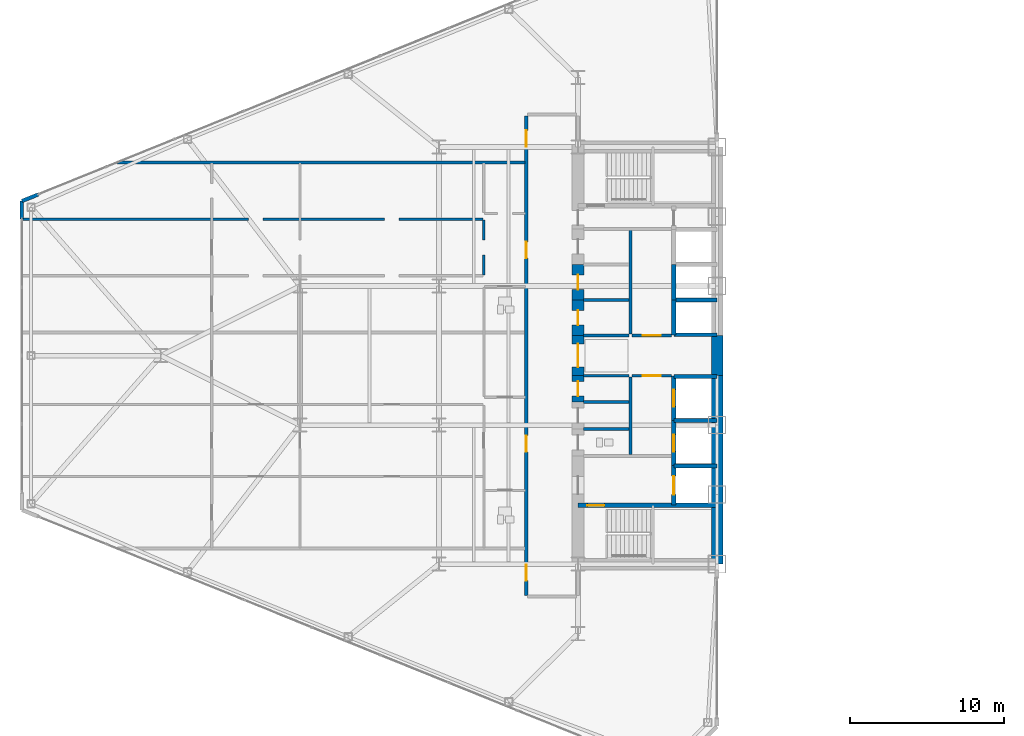
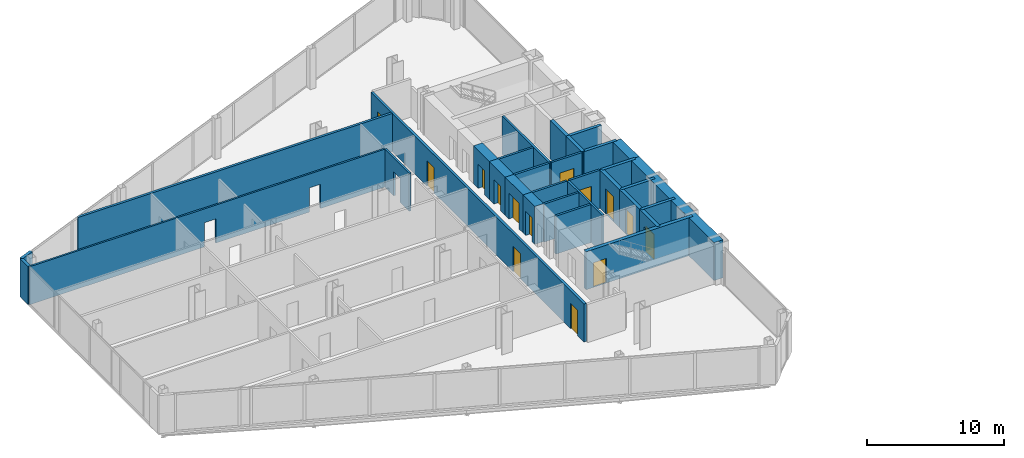
# One storey, part 18 of 25: 32 walls, 14 doors, 17 openings.
"""IFC4 building model written with IfcOpenShell, lengths in metres."""

from ifc_helpers import new_model, si_unit, direction, frame, frame_2d, origin, place, context, subcontext, project, spatial, rectangle, extrude, source, transform, mapped, material, layer, layer_set, type_object, type_shapes, element, fill, save


model = new_model("IFC4")

# Units and contexts
model_context = context("Model", 3, precision=1e-05, world=origin(), true_north=direction((0.0, 1.0)))
body_context = subcontext(model_context, "Body", "Model", "MODEL_VIEW")
ifc_project = project(units=[si_unit("LENGTHUNIT", "METRE"), si_unit("AREAUNIT", "SQUARE_METRE"), si_unit("VOLUMEUNIT", "CUBIC_METRE"), si_unit("PLANEANGLEUNIT", "RADIAN"), si_unit("MASSUNIT", "GRAM", prefix="KILO")], contexts=[model_context])

# Site, building, storey
site_placement = place(None, origin())
site = spatial("IfcSite", under=ifc_project, at=site_placement, CompositionType="ELEMENT")
building_placement = place(site_placement, origin())
building = spatial("IfcBuilding", under=site, at=building_placement, Name="Seokmaru Belvedere", CompositionType="ELEMENT")
storey_placement = place(building_placement, frame((0.0, 0.0, 54.89990234375)))
storey = spatial("IfcBuildingStorey", under=building, at=storey_placement, Name="L14", CompositionType="ELEMENT", Elevation=54.89990234375)

# Wall, openings
ifc_material_1 = material(Name="Fire-Rated Gypsum Shaftwall")
ifc_layer_1 = layer(ifc_material_1, 0.14990234375)
ifc_layer_set_1 = layer_set([ifc_layer_1], Name="Fire-Rated Gypsum Shaftwall")
wall_type_1 = type_object("IfcWallType", Name="Apartment Fire-Acoustic Room Partition 150", PredefinedType="PARTITIONING", material=ifc_layer_set_1)
wall_1_placement = place(storey_placement, frame((-72.534912109375, 8.830078125, 0.0), z_axis=(0.0, 0.0, 1.0), x_axis=(1.0, 0.0, 0.0)))
wall_1 = element("IfcWall", 1, at=wall_1_placement, inside=storey, type_object=wall_type_1, Name="L14 Interior Partition 023", PredefinedType="PARTITIONING", context=body_context, shape_type="SweptSolid", body=[
    extrude(rectangle(XDim=29.885009765625, YDim=0.14990234375, at=frame_2d((14.9423828125, 0.0))), origin(), (0.0, 0.0, 1.0), 3.380126953125),
])
opening_1_placement = place(wall_1_placement, frame((23.510009765625, 0.0, 0.0)))
element("IfcOpeningElement", 2, at=opening_1_placement, cuts=wall_1, Name="L14 Cased Opening 020", PredefinedType="OPENING", context=body_context, shape_type="SweptSolid", body=[
    extrude(rectangle(XDim=0.949951171875, YDim=2.14990234375, at=frame_2d((0.47509765625, 1.074951171875))), frame((0.0, 0.0849609375, 0.0), z_axis=(0.0, -1.0, 0.0), x_axis=(1.0, 0.0, 0.0)), (0.0, 0.0, 1.0), 0.169921875),
])
opening_2_placement = place(wall_1_placement, frame((14.7099609375, 0.0, 0.0)))
element("IfcOpeningElement", 3, at=opening_2_placement, cuts=wall_1, Name="L14 Cased Opening 024", PredefinedType="OPENING", context=body_context, shape_type="SweptSolid", body=[
    extrude(rectangle(XDim=0.949951171875, YDim=2.14990234375, at=frame_2d((0.47509765625, 1.074951171875))), frame((0.0, 0.0849609375, 0.0), z_axis=(0.0, -1.0, 0.0), x_axis=(1.0, 0.0, 0.0)), (0.0, 0.0, 1.0), 0.169921875),
])

# Wall, opening
wall_2_placement = place(storey_placement, frame((-42.60009765625, 5.217041015625, 0.0), z_axis=(0.0, 0.0, 1.0), x_axis=(0.0, 1.0, 0.0)))
wall_2 = element("IfcWall", 4, at=wall_2_placement, inside=storey, type_object=wall_type_1, Name="L14 Interior Partition 038", PredefinedType="PARTITIONING", context=body_context, shape_type="SweptSolid", body=[
    extrude(rectangle(XDim=3.56591796875, YDim=0.14990234375, at=frame_2d((1.782958984375, 0.0))), origin(), (0.0, 0.0, 1.0), 3.380126953125),
])
opening_3_placement = place(wall_2_placement, frame((1.30810546875, 0.0, 0.0)))
element("IfcOpeningElement", 5, at=opening_3_placement, cuts=wall_2, Name="L14 Cased Opening 017", PredefinedType="OPENING", context=body_context, shape_type="SweptSolid", body=[
    extrude(rectangle(XDim=0.949951171875, YDim=2.14990234375, at=frame_2d((0.47509765625, 1.074951171875))), frame((0.0, 0.0849609375, 0.0), z_axis=(0.0, -1.0, 0.0), x_axis=(1.0, 0.0, 0.0)), (0.0, 0.0, 1.0), 0.169921875),
])

# Walls
ifc_layer_2 = layer(ifc_material_1, 0.179931640625)
ifc_layer_set_2 = layer_set([ifc_layer_2], Name="Fire-Rated Gypsum Shaftwall")
wall_type_2 = type_object("IfcWallType", Name="Core Service Fire Partition 180", PredefinedType="PARTITIONING", material=ifc_layer_set_2)
wall_3_placement = place(storey_placement, frame((-33.10009765625, -6.419921875, 0.0), z_axis=(0.0, 0.0, 1.0), x_axis=(0.0, 1.0, 0.0)))
element("IfcWall", 6, at=wall_3_placement, inside=storey, type_object=wall_type_2, Name="L14 West South Core Service Back Wall", PredefinedType="PARTITIONING", context=body_context, shape_type="SweptSolid", body=[
    extrude(rectangle(XDim=5.0400390625, YDim=0.179931640625, at=frame_2d((2.52001953125, 0.0))), origin(), (0.0, 0.0, 1.0), 3.380126953125),
])
wall_4_placement = place(storey_placement, frame((-33.10009765625, 1.3798828125, 0.0), z_axis=(0.0, 0.0, 1.0), x_axis=(0.0, 1.0, 0.0)))
element("IfcWall", 7, at=wall_4_placement, inside=storey, type_object=wall_type_2, Name="L14 West North Core Service Back Wall", PredefinedType="PARTITIONING", context=body_context, shape_type="SweptSolid", body=[
    extrude(rectangle(XDim=6.740234375, YDim=0.179931640625, at=frame_2d((3.3701171875, 0.0))), origin(), (0.0, 0.0, 1.0), 3.380126953125),
])

# Wall, opening, door
wall_5_placement = place(storey_placement, frame((-33.02001953125, -1.300048828125, 0.0), z_axis=(0.0, 0.0, 1.0), x_axis=(1.0, 0.0, 0.0)))
wall_5 = element("IfcWall", 8, at=wall_5_placement, inside=storey, type_object=wall_type_2, Name="L14 West South Lift Lobby Foyer Wall", PredefinedType="PARTITIONING", context=body_context, shape_type="SweptSolid", body=[
    extrude(rectangle(XDim=2.570068359375, YDim=0.179931640625, at=frame_2d((1.28515625, 0.0))), origin(), (0.0, 0.0, 1.0), 3.380126953125),
])
opening_4_placement = place(wall_5_placement, frame((0.7099609375, 0.0, 0.0)))
opening_4 = element("IfcOpeningElement", 9, at=opening_4_placement, cuts=wall_5, Name="Opening D02", PredefinedType="OPENING", context=body_context, shape_type="SweptSolid", body=[
    extrude(rectangle(XDim=1.14990234375, YDim=2.199951171875, at=frame_2d((0.574951171875, 1.10009765625))), frame((0.0, 0.10009765625, 0.0), z_axis=(0.0, -1.0, 0.0), x_axis=(1.0, 0.0, 0.0)), (0.0, 0.0, 1.0), 0.199951171875),
])
ifc_material_2 = material(Name="Fire-Rated Steel Leaf", Category="steel")
door_type_1 = type_object("IfcDoorType", Name="Lobby and Vestibule Fire Door 1150x2200", OperationType="NOTDEFINED", PredefinedType="DOOR", material=ifc_material_2)
shared_shape_1 = source(origin(), body_context, "Body", "SweptSolid", [
    extrude(rectangle(XDim=1.14990234375, YDim=2.199951171875, at=frame_2d((0.574951171875, 1.10009765625))), frame((0.0, 0.02490234375, 0.0), z_axis=(0.0, -1.0, 0.0), x_axis=(1.0, 0.0, 0.0)), (0.0, 0.0, 1.0), 0.050048828125),
])
type_shapes(door_type_1, [shared_shape_1])
door_1_placement = place(opening_4_placement, origin())
door_1 = element("IfcDoor", 10, at=door_1_placement, inside=storey, type_object=door_type_1, Name="L14 West South Core Foyer Door", OperationType="SINGLE_SWING_LEFT", OverallHeight=2.199951171875, OverallWidth=1.14990234375, PredefinedType="DOOR", context=body_context, shape_type="MappedRepresentation", body=[
    mapped(shared_shape_1, transform((0.0, 0.0, 0.0), scale=1.0)),
])
fill(opening_4, door_1)

wall_6_placement = place(storey_placement, frame((-33.02001953125, 1.300048828125, 0.0), z_axis=(0.0, 0.0, 1.0), x_axis=(1.0, 0.0, 0.0)))
wall_6 = element("IfcWall", 11, at=wall_6_placement, inside=storey, type_object=wall_type_2, Name="L14 West North Lift Lobby Foyer Wall", PredefinedType="PARTITIONING", context=body_context, shape_type="SweptSolid", body=[
    extrude(rectangle(XDim=2.570068359375, YDim=0.179931640625, at=frame_2d((1.28515625, 0.0))), origin(), (0.0, 0.0, 1.0), 3.380126953125),
])
opening_5_placement = place(wall_6_placement, frame((0.7099609375, 0.0, 0.0)))
opening_5 = element("IfcOpeningElement", 12, at=opening_5_placement, cuts=wall_6, Name="Opening D02", PredefinedType="OPENING", context=body_context, shape_type="SweptSolid", body=[
    extrude(rectangle(XDim=1.14990234375, YDim=2.199951171875, at=frame_2d((0.574951171875, 1.10009765625))), frame((0.0, 0.10009765625, 0.0), z_axis=(0.0, -1.0, 0.0), x_axis=(1.0, 0.0, 0.0)), (0.0, 0.0, 1.0), 0.199951171875),
])
door_2_placement = place(opening_5_placement, origin())
door_2 = element("IfcDoor", 13, at=door_2_placement, inside=storey, type_object=door_type_1, Name="L14 West North Lift Lobby Door", OperationType="SINGLE_SWING_RIGHT", OverallHeight=2.199951171875, OverallWidth=1.14990234375, PredefinedType="DOOR", context=body_context, shape_type="MappedRepresentation", body=[
    mapped(shared_shape_1, transform((0.0, 0.0, 0.0), scale=1.0)),
])
fill(opening_5, door_2)

# Walls
for number, where, z_axis, x_axis, name in (
    (14, (-36.14990234375, -1.300048828125, 0.0), (0.0, 0.0, 1.0), (1.0, 0.0, 0.0), "L14 West Foyer Side Wall S"),
    (15, (-36.14990234375, 1.300048828125, 0.0), (0.0, 0.0, 1.0), (1.0, 0.0, 0.0), "L14 West Foyer Side Wall N"),
    (16, (-36.14990234375, -4.75, 0.0), (0.0, 0.0, 1.0), (1.0, 0.0, 0.0), "L14 West Core Service Partition 1"),
    (17, (-36.14990234375, -3.0, 0.0), (0.0, 0.0, 1.0), (1.0, 0.0, 0.0), "L14 West Core Service Partition 2"),
    (18, (-36.14990234375, 3.60009765625, 0.0), (0.0, 0.0, 1.0), (1.0, 0.0, 0.0), "L14 West Core Service Partition 3"),
):
    element("IfcWall", number, at=place(storey_placement, frame(where, z_axis=z_axis, x_axis=x_axis)), inside=storey, type_object=wall_type_2, Name=name, PredefinedType="PARTITIONING", context=body_context, shape_type="SweptSolid", body=[
        extrude(rectangle(XDim=2.949951171875, YDim=0.179931640625, at=frame_2d((1.47509765625, 0.0))), origin(), (0.0, 0.0, 1.0), 3.380126953125),
    ])
ifc_material_3 = material(Name="Concrete C50 (50 MPa)", Category="concrete")
ifc_layer_3 = layer(ifc_material_3, 0.25)
ifc_layer_set_3 = layer_set([ifc_layer_3], Name="Concrete C50 (50 MPa)")
wall_type_3 = type_object("IfcWallType", Name="Hoistway Transverse Concrete Divider Wall 250", PredefinedType="SHEAR", material=ifc_layer_set_3)
for number, where, z_axis, x_axis, name in (
    (19, (-30.300048828125, -7.14990234375, 0.0), (0.0, 0.0, 1.0), (1.0, 0.0, 0.0), "L14 West Hoistway Divider Core Wall 1"),
    (20, (-30.300048828125, -4.199951171875, 0.0), (0.0, 0.0, 1.0), (1.0, 0.0, 0.0), "L14 West Hoistway Divider Core Wall 2"),
    (21, (-30.300048828125, -1.35009765625, 0.0), (0.0, 0.0, 1.0), (1.0, 0.0, 0.0), "L14 West Hoistway Divider Core Wall 3"),
    (22, (-30.300048828125, 1.35009765625, 0.0), (0.0, 0.0, 1.0), (1.0, 0.0, 0.0), "L14 West Hoistway Divider Core Wall 4"),
    (23, (-30.300048828125, 3.60009765625, 0.0), (0.0, 0.0, 1.0), (1.0, 0.0, 0.0), "L14 West Hoistway Divider Core Wall 5"),
):
    element("IfcWall", number, at=place(storey_placement, frame(where, z_axis=z_axis, x_axis=x_axis)), inside=storey, type_object=wall_type_3, Name=name, PredefinedType="SHEAR", context=body_context, shape_type="SweptSolid", body=[
        extrude(rectangle(XDim=2.800048828125, YDim=0.25, at=frame_2d((1.39990234375, 0.0))), origin(), (0.0, 0.0, 1.0), 3.380126953125),
    ])
ifc_layer_4 = layer(ifc_material_1, 0.199951171875)
ifc_layer_set_4 = layer_set([ifc_layer_4], Name="Fire-Rated Gypsum Shaftwall")
wall_type_4 = type_object("IfcWallType", Name="Inter-Tenancy Fire Compartment Partition 200", PredefinedType="PARTITIONING", material=ifc_layer_set_4)
wall_7_placement = place(storey_placement, frame((-66.3369140625, 12.5, 0.0), z_axis=(0.0, 0.0, 1.0), x_axis=(1.0, 0.0, 0.0)))
element("IfcWall", 24, at=wall_7_placement, inside=storey, type_object=wall_type_4, Name="L14 Interior Partition 026", PredefinedType="PARTITIONING", context=body_context, shape_type="SweptSolid", body=[
    extrude(rectangle(XDim=26.406982421875, YDim=0.199951171875, at=frame_2d((13.20361328125, 0.0))), origin(), (0.0, 0.0, 1.0), 3.380126953125),
])

# Wall, openings, doors
wall_8_placement = place(storey_placement, frame((-39.85009765625, -15.514892578125, 0.0), z_axis=(0.0, 0.0, 1.0), x_axis=(0.0, 1.0, 0.0)))
wall_8 = element("IfcWall", 25, at=wall_8_placement, inside=storey, type_object=wall_type_4, Name="L14 Interior Partition 040", PredefinedType="PARTITIONING", context=body_context, shape_type="SweptSolid", body=[
    extrude(rectangle(XDim=31.02978515625, YDim=0.199951171875, at=frame_2d((15.514892578125, 0.0))), origin(), (0.0, 0.0, 1.0), 3.380126953125),
])
opening_6_placement = place(wall_8_placement, frame((0.93994140625, 0.0, 0.0)))
opening_6 = element("IfcOpeningElement", 26, at=opening_6_placement, cuts=wall_8, Name="Opening D03", PredefinedType="OPENING", context=body_context, shape_type="SweptSolid", body=[
    extrude(rectangle(XDim=1.050048828125, YDim=2.25, at=frame_2d((0.52490234375, 1.125))), frame((0.0, 0.10986328125, 0.0), z_axis=(0.0, -1.0, 0.0), x_axis=(1.0, 0.0, 0.0)), (0.0, 0.0, 1.0), 0.219970703125),
])
opening_7_placement = place(wall_8_placement, frame((9.280029296875, 0.0, 0.0)))
opening_7 = element("IfcOpeningElement", 27, at=opening_7_placement, cuts=wall_8, Name="Opening D03", PredefinedType="OPENING", context=body_context, shape_type="SweptSolid", body=[
    extrude(rectangle(XDim=1.050048828125, YDim=2.25, at=frame_2d((0.52490234375, 1.125))), frame((0.0, 0.10986328125, 0.0), z_axis=(0.0, -1.0, 0.0), x_axis=(1.0, 0.0, 0.0)), (0.0, 0.0, 1.0), 0.219970703125),
])
opening_8_placement = place(wall_8_placement, frame((21.824951171875, 0.0, 0.0)))
opening_8 = element("IfcOpeningElement", 28, at=opening_8_placement, cuts=wall_8, Name="Opening D03", PredefinedType="OPENING", context=body_context, shape_type="SweptSolid", body=[
    extrude(rectangle(XDim=1.050048828125, YDim=2.25, at=frame_2d((0.52490234375, 1.125))), frame((0.0, 0.10986328125, 0.0), z_axis=(0.0, -1.0, 0.0), x_axis=(1.0, 0.0, 0.0)), (0.0, 0.0, 1.0), 0.219970703125),
])
opening_9_placement = place(wall_8_placement, frame((29.0400390625, 0.0, 0.0)))
opening_9 = element("IfcOpeningElement", 29, at=opening_9_placement, cuts=wall_8, Name="Opening D03", PredefinedType="OPENING", context=body_context, shape_type="SweptSolid", body=[
    extrude(rectangle(XDim=1.050048828125, YDim=2.25, at=frame_2d((0.52490234375, 1.125))), frame((0.0, 0.10986328125, 0.0), z_axis=(0.0, -1.0, 0.0), x_axis=(1.0, 0.0, 0.0)), (0.0, 0.0, 1.0), 0.219970703125),
])
door_type_2 = type_object("IfcDoorType", Name="Apartment Entrance Fire Door 1050x2250", OperationType="NOTDEFINED", PredefinedType="DOOR", material=ifc_material_2)
shared_shape_2 = source(origin(), body_context, "Body", "SweptSolid", [
    extrude(rectangle(XDim=1.050048828125, YDim=2.25, at=frame_2d((0.52490234375, 1.125))), frame((0.0, 0.02490234375, 0.0), z_axis=(0.0, -1.0, 0.0), x_axis=(1.0, 0.0, 0.0)), (0.0, 0.0, 1.0), 0.050048828125),
])
type_shapes(door_type_2, [shared_shape_2])
door_3_placement = place(opening_6_placement, origin())
door_3 = element("IfcDoor", 30, at=door_3_placement, inside=storey, type_object=door_type_2, Name="L14 Interior Door 001", OperationType="SINGLE_SWING_RIGHT", OverallHeight=2.25, OverallWidth=1.050048828125, PredefinedType="DOOR", context=body_context, shape_type="MappedRepresentation", body=[
    mapped(shared_shape_2, transform((0.0, 0.0, 0.0), scale=1.0)),
])
fill(opening_6, door_3)
door_4_placement = place(opening_7_placement, origin())
door_4 = element("IfcDoor", 31, at=door_4_placement, inside=storey, type_object=door_type_2, Name="L14 Interior Door 002", OperationType="SINGLE_SWING_LEFT", OverallHeight=2.25, OverallWidth=1.050048828125, PredefinedType="DOOR", context=body_context, shape_type="MappedRepresentation", body=[
    mapped(shared_shape_2, transform((0.0, 0.0, 0.0), scale=1.0)),
])
fill(opening_7, door_4)
door_5_placement = place(opening_8_placement, origin())
door_5 = element("IfcDoor", 32, at=door_5_placement, inside=storey, type_object=door_type_2, Name="L14 Interior Door 014", OperationType="SINGLE_SWING_RIGHT", OverallHeight=2.25, OverallWidth=1.050048828125, PredefinedType="DOOR", context=body_context, shape_type="MappedRepresentation", body=[
    mapped(shared_shape_2, transform((0.0, 0.0, 0.0), scale=1.0)),
])
fill(opening_8, door_5)
door_6_placement = place(opening_9_placement, origin())
door_6 = element("IfcDoor", 33, at=door_6_placement, inside=storey, type_object=door_type_2, Name="L14 Interior Door 026", OperationType="SINGLE_SWING_LEFT", OverallHeight=2.25, OverallWidth=1.050048828125, PredefinedType="DOOR", context=body_context, shape_type="MappedRepresentation", body=[
    mapped(shared_shape_2, transform((0.0, 0.0, 0.0), scale=1.0)),
])
fill(opening_9, door_6)

# Wall, opening, door
ifc_layer_5 = layer(ifc_material_3, 0.300048828125)
ifc_layer_set_5 = layer_set([ifc_layer_5], Name="Concrete C50 (50 MPa)")
wall_type_5 = type_object("IfcWallType", Name="Internal Core Stair and Hoistway Wall 300", PredefinedType="SHEAR", material=ifc_layer_set_5)
wall_9_placement = place(storey_placement, frame((-36.5, -9.699951171875, 0.0), z_axis=(0.0, 0.0, 1.0), x_axis=(1.0, 0.0, 0.0)))
wall_9 = element("IfcWall", 34, at=wall_9_placement, inside=storey, type_object=wall_type_5, Name="L14 West Stair ST-1 Enclosure Wall", PredefinedType="SHEAR", context=body_context, shape_type="SweptSolid", body=[
    extrude(rectangle(XDim=9.0, YDim=0.300048828125, at=frame_2d((4.5, 0.0))), origin(), (0.0, 0.0, 1.0), 3.380126953125),
])
opening_10_placement = place(wall_9_placement, frame((0.60009765625, 0.0, 0.0)))
opening_10 = element("IfcOpeningElement", 35, at=opening_10_placement, cuts=wall_9, Name="Opening D01", PredefinedType="OPENING", context=body_context, shape_type="SweptSolid", body=[
    extrude(rectangle(XDim=1.10009765625, YDim=2.199951171875, at=frame_2d((0.550048828125, 1.10009765625))), frame((0.0, 0.16015625, 0.0), z_axis=(0.0, -1.0, 0.0), x_axis=(1.0, 0.0, 0.0)), (0.0, 0.0, 1.0), 0.320068359375),
])
door_type_3 = type_object("IfcDoorType", Name="Special Escape Stair Smokeproof Fire Door 1100x2200", OperationType="NOTDEFINED", PredefinedType="DOOR", material=ifc_material_2)
shared_shape_3 = source(origin(), body_context, "Body", "SweptSolid", [
    extrude(rectangle(XDim=1.10009765625, YDim=2.199951171875, at=frame_2d((0.550048828125, 1.10009765625))), frame((0.0, 0.02490234375, 0.0), z_axis=(0.0, -1.0, 0.0), x_axis=(1.0, 0.0, 0.0)), (0.0, 0.0, 1.0), 0.050048828125),
])
type_shapes(door_type_3, [shared_shape_3])
door_7_placement = place(opening_10_placement, frame((1.10009765625, 0.0, 0.0), z_axis=(0.0, 0.0, 1.0), x_axis=(-1.0, 0.0, 0.0)))
door_7 = element("IfcDoor", 36, at=door_7_placement, inside=storey, type_object=door_type_3, Name="L14 West Special Escape Stair ST-1 Door", OperationType="SINGLE_SWING_LEFT", OverallHeight=2.199951171875, OverallWidth=1.10009765625, PredefinedType="DOOR", context=body_context, shape_type="MappedRepresentation", body=[
    mapped(shared_shape_3, transform((0.0, 0.0, 0.0), scale=1.0)),
])
fill(opening_10, door_7)

wall_10_placement = place(storey_placement, frame((-30.300048828125, -9.679931640625, 0.0), z_axis=(0.0, 0.0, 1.0), x_axis=(0.0, 1.0, 0.0)))
wall_10 = element("IfcWall", 37, at=wall_10_placement, inside=storey, type_object=wall_type_5, Name="L14 West Firefighting Lift Shaft Front Wall", PredefinedType="SHEAR", context=body_context, shape_type="SweptSolid", body=[
    extrude(rectangle(XDim=2.559814453125, YDim=0.300048828125, at=frame_2d((1.27978515625, 0.0))), origin(), (0.0, 0.0, 1.0), 3.380126953125),
])
opening_11_placement = place(wall_10_placement, frame((0.679931640625, 0.0, 0.0)))
opening_11 = element("IfcOpeningElement", 38, at=opening_11_placement, cuts=wall_10, Name="Opening LD2", PredefinedType="OPENING", context=body_context, shape_type="SweptSolid", body=[
    extrude(rectangle(XDim=1.199951171875, YDim=2.25, at=frame_2d((0.60009765625, 1.125))), frame((0.0, 0.16015625, 0.0), z_axis=(0.0, -1.0, 0.0), x_axis=(1.0, 0.0, 0.0)), (0.0, 0.0, 1.0), 0.320068359375),
])
ifc_material_4 = material(Name="Stainless Steel 316", Category="steel")
door_type_4 = type_object("IfcDoorType", Name="Firefighting Lift Sliding Landing Door 1200x2250", OperationType="DOUBLE_DOOR_SLIDING", PredefinedType="DOOR", material=ifc_material_4)
shared_shape_4 = source(origin(), body_context, "Body", "SweptSolid", [
    extrude(rectangle(XDim=1.199951171875, YDim=2.25, at=frame_2d((0.60009765625, 1.125))), frame((0.0, 0.02490234375, 0.0), z_axis=(0.0, -1.0, 0.0), x_axis=(1.0, 0.0, 0.0)), (0.0, 0.0, 1.0), 0.050048828125),
])
type_shapes(door_type_4, [shared_shape_4])
door_8_placement = place(opening_11_placement, origin())
door_8 = element("IfcDoor", 39, at=door_8_placement, inside=storey, type_object=door_type_4, Name="L14 West Firefighting Lift Landing Door", OperationType="DOUBLE_DOOR_SLIDING", OverallHeight=2.25, OverallWidth=1.199951171875, PredefinedType="DOOR", context=body_context, shape_type="MappedRepresentation", body=[
    mapped(shared_shape_4, transform((0.0, 0.0, 0.0), scale=1.0)),
])
fill(opening_11, door_8)

wall_11_placement = place(storey_placement, frame((-30.300048828125, -7.1201171875, 0.0), z_axis=(0.0, 0.0, 1.0), x_axis=(0.0, 1.0, 0.0)))
wall_11 = element("IfcWall", 40, at=wall_11_placement, inside=storey, type_object=wall_type_5, Name="L14 West Low-Rise Lift PL-1 Front Wall", PredefinedType="SHEAR", context=body_context, shape_type="SweptSolid", body=[
    extrude(rectangle(XDim=2.920166015625, YDim=0.300048828125, at=frame_2d((1.4599609375, 0.0))), origin(), (0.0, 0.0, 1.0), 3.380126953125),
])
opening_12_placement = place(wall_11_placement, frame((0.909912109375, 0.0, 0.0)))
opening_12 = element("IfcOpeningElement", 41, at=opening_12_placement, cuts=wall_11, Name="Opening LD1", PredefinedType="OPENING", context=body_context, shape_type="SweptSolid", body=[
    extrude(rectangle(XDim=1.10009765625, YDim=2.199951171875, at=frame_2d((0.550048828125, 1.10009765625))), frame((0.0, 0.16015625, 0.0), z_axis=(0.0, -1.0, 0.0), x_axis=(1.0, 0.0, 0.0)), (0.0, 0.0, 1.0), 0.320068359375),
])
door_type_5 = type_object("IfcDoorType", Name="Passenger Lift Sliding Landing Door 1100x2200", OperationType="DOUBLE_DOOR_SLIDING", PredefinedType="DOOR", material=ifc_material_4)
shared_shape_5 = source(origin(), body_context, "Body", "SweptSolid", [
    extrude(rectangle(XDim=1.10009765625, YDim=2.199951171875, at=frame_2d((0.550048828125, 1.10009765625))), frame((0.0, 0.02490234375, 0.0), z_axis=(0.0, -1.0, 0.0), x_axis=(1.0, 0.0, 0.0)), (0.0, 0.0, 1.0), 0.050048828125),
])
type_shapes(door_type_5, [shared_shape_5])
door_9_placement = place(opening_12_placement, origin())
door_9 = element("IfcDoor", 42, at=door_9_placement, inside=storey, type_object=door_type_5, Name="L14 West Low-Rise Lift PL-1 Landing Door", OperationType="DOUBLE_DOOR_SLIDING", OverallHeight=2.199951171875, OverallWidth=1.10009765625, PredefinedType="DOOR", context=body_context, shape_type="MappedRepresentation", body=[
    mapped(shared_shape_5, transform((0.0, 0.0, 0.0), scale=1.0)),
])
fill(opening_12, door_9)

wall_12_placement = place(storey_placement, frame((-30.300048828125, -4.199951171875, 0.0), z_axis=(0.0, 0.0, 1.0), x_axis=(0.0, 1.0, 0.0)))
wall_12 = element("IfcWall", 43, at=wall_12_placement, inside=storey, type_object=wall_type_5, Name="L14 West Low-Rise Lift PL-2 Front Wall", PredefinedType="SHEAR", context=body_context, shape_type="SweptSolid", body=[
    extrude(rectangle(XDim=2.8798828125, YDim=0.300048828125, at=frame_2d((1.43994140625, 0.0))), origin(), (0.0, 0.0, 1.0), 3.380126953125),
])
opening_13_placement = place(wall_12_placement, frame((0.889892578125, 0.0, 0.0)))
opening_13 = element("IfcOpeningElement", 44, at=opening_13_placement, cuts=wall_12, Name="Opening LD1", PredefinedType="OPENING", context=body_context, shape_type="SweptSolid", body=[
    extrude(rectangle(XDim=1.10009765625, YDim=2.199951171875, at=frame_2d((0.550048828125, 1.10009765625))), frame((0.0, 0.16015625, 0.0), z_axis=(0.0, -1.0, 0.0), x_axis=(1.0, 0.0, 0.0)), (0.0, 0.0, 1.0), 0.320068359375),
])
door_10_placement = place(opening_13_placement, origin())
door_10 = element("IfcDoor", 45, at=door_10_placement, inside=storey, type_object=door_type_5, Name="L14 West Low-Rise Lift PL-2 Landing Door", OperationType="DOUBLE_DOOR_SLIDING", OverallHeight=2.199951171875, OverallWidth=1.10009765625, PredefinedType="DOOR", context=body_context, shape_type="MappedRepresentation", body=[
    mapped(shared_shape_5, transform((0.0, 0.0, 0.0), scale=1.0)),
])
fill(opening_13, door_10)

# Walls
wall_13_placement = place(storey_placement, frame((-30.300048828125, 1.320068359375, 0.0), z_axis=(0.0, 0.0, 1.0), x_axis=(0.0, 1.0, 0.0)))
element("IfcWall", 46, at=wall_13_placement, inside=storey, type_object=wall_type_5, Name="L14 West North Hoistway Wall PH1", PredefinedType="SHEAR", context=body_context, shape_type="SweptSolid", body=[
    extrude(rectangle(XDim=2.280029296875, YDim=0.300048828125, at=frame_2d((1.14013671875, 0.0))), origin(), (0.0, 0.0, 1.0), 3.380126953125),
])
wall_14_placement = place(storey_placement, frame((-30.300048828125, 3.60009765625, 0.0), z_axis=(0.0, 0.0, 1.0), x_axis=(0.0, 1.0, 0.0)))
element("IfcWall", 47, at=wall_14_placement, inside=storey, type_object=wall_type_5, Name="L14 West North Hoistway Wall PH2", PredefinedType="SHEAR", context=body_context, shape_type="SweptSolid", body=[
    extrude(rectangle(XDim=2.2998046875, YDim=0.300048828125, at=frame_2d((1.14990234375, 0.0))), origin(), (0.0, 0.0, 1.0), 3.380126953125),
])
ifc_material_5 = material(Name="Concrete C60 (60 MPa)", Category="concrete")
ifc_layer_6 = layer(ifc_material_5, 0.75)
ifc_layer_set_6 = layer_set([ifc_layer_6], Name="Concrete C60 (60 MPa)")
wall_type_6 = type_object("IfcWallType", Name="Lower Tower Reinforced Concrete Core Wall 750", PredefinedType="SHEAR", material=ifc_layer_set_6)
wall_15_placement = place(storey_placement, frame((-27.5, -13.5, 0.0), z_axis=(0.0, 0.0, 1.0), x_axis=(0.0, 1.0, 0.0)))
element("IfcWall", 48, at=wall_15_placement, inside=storey, type_object=wall_type_6, Name="L14 West Portal Spine Core Wall South", PredefinedType="SHEAR", context=body_context, shape_type="SweptSolid", body=[
    extrude(rectangle(XDim=12.199951171875, YDim=0.75, at=frame_2d((6.10009765625, 0.0))), origin(), (0.0, 0.0, 1.0), 3.380126953125),
])
wall_16_placement = place(storey_placement, frame((-27.5, -1.300048828125, 0.0), z_axis=(0.0, 0.0, 1.0), x_axis=(0.0, 1.0, 0.0)))
element("IfcWall", 49, at=wall_16_placement, inside=storey, type_object=wall_type_6, Name="L14 West Portal Spine Core Wall Center", PredefinedType="SHEAR", context=body_context, shape_type="SweptSolid", body=[
    extrude(rectangle(XDim=2.60009765625, YDim=0.75, at=frame_2d((1.300048828125, 0.0))), origin(), (0.0, 0.0, 1.0), 3.380126953125),
])

# Wall, opening, door
wall_17_placement = place(storey_placement, frame((-36.5, -1.300048828125, 0.0), z_axis=(0.0, 0.0, 1.0), x_axis=(0.0, 1.0, 0.0)))
wall_17 = element("IfcWall", 50, at=wall_17_placement, inside=storey, type_object=wall_type_6, Name="L14 West West Core Wall FOY", PredefinedType="SHEAR", context=body_context, shape_type="SweptSolid", body=[
    extrude(rectangle(XDim=2.60009765625, YDim=0.75, at=frame_2d((1.300048828125, 0.0))), origin(), (0.0, 0.0, 1.0), 3.380126953125),
])
opening_14_placement = place(wall_17_placement, frame((0.550048828125, 0.0, 0.0)))
opening_14 = element("IfcOpeningElement", 51, at=opening_14_placement, cuts=wall_17, Name="Opening D08", PredefinedType="OPENING", context=body_context, shape_type="SweptSolid", body=[
    extrude(rectangle(XDim=1.5, YDim=2.300048828125, at=frame_2d((0.75, 1.14990234375))), frame((0.0, 0.385009765625, 0.0), z_axis=(0.0, -1.0, 0.0), x_axis=(1.0, 0.0, 0.0)), (0.0, 0.0, 1.0), 0.77001953125),
])
door_type_6 = type_object("IfcDoorType", Name="Cross-Corridor Compartment Double Fire Door 1500x2300", OperationType="DOUBLE_SWING_LEFT", PredefinedType="DOOR", material=ifc_material_2)
shared_shape_6 = source(origin(), body_context, "Body", "SweptSolid", [
    extrude(rectangle(XDim=1.5, YDim=2.300048828125, at=frame_2d((0.75, 1.14990234375))), frame((0.0, 0.02490234375, 0.0), z_axis=(0.0, -1.0, 0.0), x_axis=(1.0, 0.0, 0.0)), (0.0, 0.0, 1.0), 0.050048828125),
])
type_shapes(door_type_6, [shared_shape_6])
door_11_placement = place(opening_14_placement, origin())
door_11 = element("IfcDoor", 52, at=door_11_placement, inside=storey, type_object=door_type_6, Name="L14 West Core Foyer Compartment Door", OperationType="DOUBLE_SWING_LEFT", OverallHeight=2.300048828125, OverallWidth=1.5, PredefinedType="DOOR", context=body_context, shape_type="MappedRepresentation", body=[
    mapped(shared_shape_6, transform((0.0, 0.0, 0.0), scale=1.0)),
])
fill(opening_14, door_11)

wall_18_placement = place(storey_placement, frame((-36.5, -3.0, 0.0), z_axis=(0.0, 0.0, 1.0), x_axis=(0.0, 1.0, 0.0)))
wall_18 = element("IfcWall", 53, at=wall_18_placement, inside=storey, type_object=wall_type_6, Name="L14 West West Core Wall CS3", PredefinedType="SHEAR", context=body_context, shape_type="SweptSolid", body=[
    extrude(rectangle(XDim=1.699951171875, YDim=0.75, at=frame_2d((0.85009765625, 0.0))), origin(), (0.0, 0.0, 1.0), 3.380126953125),
])
opening_15_placement = place(wall_18_placement, frame((0.375, 0.0, 0.0)))
opening_15 = element("IfcOpeningElement", 54, at=opening_15_placement, cuts=wall_18, Name="Opening D04", PredefinedType="OPENING", context=body_context, shape_type="SweptSolid", body=[
    extrude(rectangle(XDim=0.949951171875, YDim=2.14990234375, at=frame_2d((0.47509765625, 1.074951171875))), frame((0.0, 0.385009765625, 0.0), z_axis=(0.0, -1.0, 0.0), x_axis=(1.0, 0.0, 0.0)), (0.0, 0.0, 1.0), 0.77001953125),
])
door_type_7 = type_object("IfcDoorType", Name="Core Service Room Fire Door 950x2150", OperationType="NOTDEFINED", PredefinedType="DOOR", material=ifc_material_2)
shared_shape_7 = source(origin(), body_context, "Body", "SweptSolid", [
    extrude(rectangle(XDim=0.949951171875, YDim=2.14990234375, at=frame_2d((0.47509765625, 1.074951171875))), frame((0.0, 0.02490234375, 0.0), z_axis=(0.0, -1.0, 0.0), x_axis=(1.0, 0.0, 0.0)), (0.0, 0.0, 1.0), 0.050048828125),
])
type_shapes(door_type_7, [shared_shape_7])
door_12_placement = place(opening_15_placement, origin())
door_12 = element("IfcDoor", 55, at=door_12_placement, inside=storey, type_object=door_type_7, Name="L14 West Core Service Room Door 3", OperationType="SINGLE_SWING_LEFT", OverallHeight=2.14990234375, OverallWidth=0.949951171875, PredefinedType="DOOR", context=body_context, shape_type="MappedRepresentation", body=[
    mapped(shared_shape_7, transform((0.0, 0.0, 0.0), scale=1.0)),
])
fill(opening_15, door_12)

wall_19_placement = place(storey_placement, frame((-36.5, 1.300048828125, 0.0), z_axis=(0.0, 0.0, 1.0), x_axis=(0.0, 1.0, 0.0)))
wall_19 = element("IfcWall", 56, at=wall_19_placement, inside=storey, type_object=wall_type_6, Name="L14 West West Core Wall CS4", PredefinedType="SHEAR", context=body_context, shape_type="SweptSolid", body=[
    extrude(rectangle(XDim=2.300048828125, YDim=0.75, at=frame_2d((1.14990234375, 0.0))), origin(), (0.0, 0.0, 1.0), 3.380126953125),
])
opening_16_placement = place(wall_19_placement, frame((0.675048828125, 0.0, 0.0)))
opening_16 = element("IfcOpeningElement", 57, at=opening_16_placement, cuts=wall_19, Name="Opening D04", PredefinedType="OPENING", context=body_context, shape_type="SweptSolid", body=[
    extrude(rectangle(XDim=0.949951171875, YDim=2.14990234375, at=frame_2d((0.47509765625, 1.074951171875))), frame((0.0, 0.385009765625, 0.0), z_axis=(0.0, -1.0, 0.0), x_axis=(1.0, 0.0, 0.0)), (0.0, 0.0, 1.0), 0.77001953125),
])
door_13_placement = place(opening_16_placement, origin())
door_13 = element("IfcDoor", 58, at=door_13_placement, inside=storey, type_object=door_type_7, Name="L14 West Core Service Room Door 4", OperationType="SINGLE_SWING_RIGHT", OverallHeight=2.14990234375, OverallWidth=0.949951171875, PredefinedType="DOOR", context=body_context, shape_type="MappedRepresentation", body=[
    mapped(shared_shape_7, transform((0.0, 0.0, 0.0), scale=1.0)),
])
fill(opening_16, door_13)

wall_20_placement = place(storey_placement, frame((-36.5, 3.60009765625, 0.0), z_axis=(0.0, 0.0, 1.0), x_axis=(0.0, 1.0, 0.0)))
wall_20 = element("IfcWall", 59, at=wall_20_placement, inside=storey, type_object=wall_type_6, Name="L14 West West Core Wall CS5", PredefinedType="SHEAR", context=body_context, shape_type="SweptSolid", body=[
    extrude(rectangle(XDim=2.2998046875, YDim=0.75, at=frame_2d((1.14990234375, 0.0))), origin(), (0.0, 0.0, 1.0), 3.380126953125),
])
opening_17_placement = place(wall_20_placement, frame((0.675048828125, 0.0, 0.0)))
opening_17 = element("IfcOpeningElement", 60, at=opening_17_placement, cuts=wall_20, Name="Opening D04", PredefinedType="OPENING", context=body_context, shape_type="SweptSolid", body=[
    extrude(rectangle(XDim=0.949951171875, YDim=2.14990234375, at=frame_2d((0.47509765625, 1.074951171875))), frame((0.0, 0.385009765625, 0.0), z_axis=(0.0, -1.0, 0.0), x_axis=(1.0, 0.0, 0.0)), (0.0, 0.0, 1.0), 0.77001953125),
])
door_14_placement = place(opening_17_placement, origin())
door_14 = element("IfcDoor", 61, at=door_14_placement, inside=storey, type_object=door_type_7, Name="L14 West Core Service Room Door 5", OperationType="SINGLE_SWING_LEFT", OverallHeight=2.14990234375, OverallWidth=0.949951171875, PredefinedType="DOOR", context=body_context, shape_type="MappedRepresentation", body=[
    mapped(shared_shape_7, transform((0.0, 0.0, 0.0), scale=1.0)),
])
fill(opening_17, door_14)

# Walls
ifc_material_6 = material(Name="Anodised Bronze Aluminium", Category="aluminium")
ifc_layer_7 = layer(ifc_material_6, 0.239990234375)
ifc_layer_set_7 = layer_set([ifc_layer_7], Name="Anodised Bronze Aluminium")
wall_type_7 = type_object("IfcWallType", Name="Tower Corner Spandrel Closure Wall 240", PredefinedType="SOLIDWALL", material=ifc_layer_set_7)
for number, where, z_axis, x_axis, name in (
    (62, (-71.43408203125, 10.431396484375, 0.0), (0.0, 0.0, 1.0), (-0.927007103665, -0.375043770452, 0.0), "L14 W Corner Closure Pier 3B"),
    (63, (-72.5, 9.989990234375, 0.0), (0.0, 0.0, 1.0), (0.0, -1.0, 0.0), "L14 W Corner Closure Pier 4A"),
):
    element("IfcWall", number, at=place(storey_placement, frame(where, z_axis=z_axis, x_axis=x_axis)), inside=storey, type_object=wall_type_7, Name=name, PredefinedType="SOLIDWALL", context=body_context, shape_type="SweptSolid", body=[
        extrude(rectangle(XDim=1.139892578125, YDim=0.239990234375, at=frame_2d((0.56982421875, 0.0))), origin(), (0.0, 0.0, 1.0), 3.380126953125),
    ])

save(model, "model.ifc")
